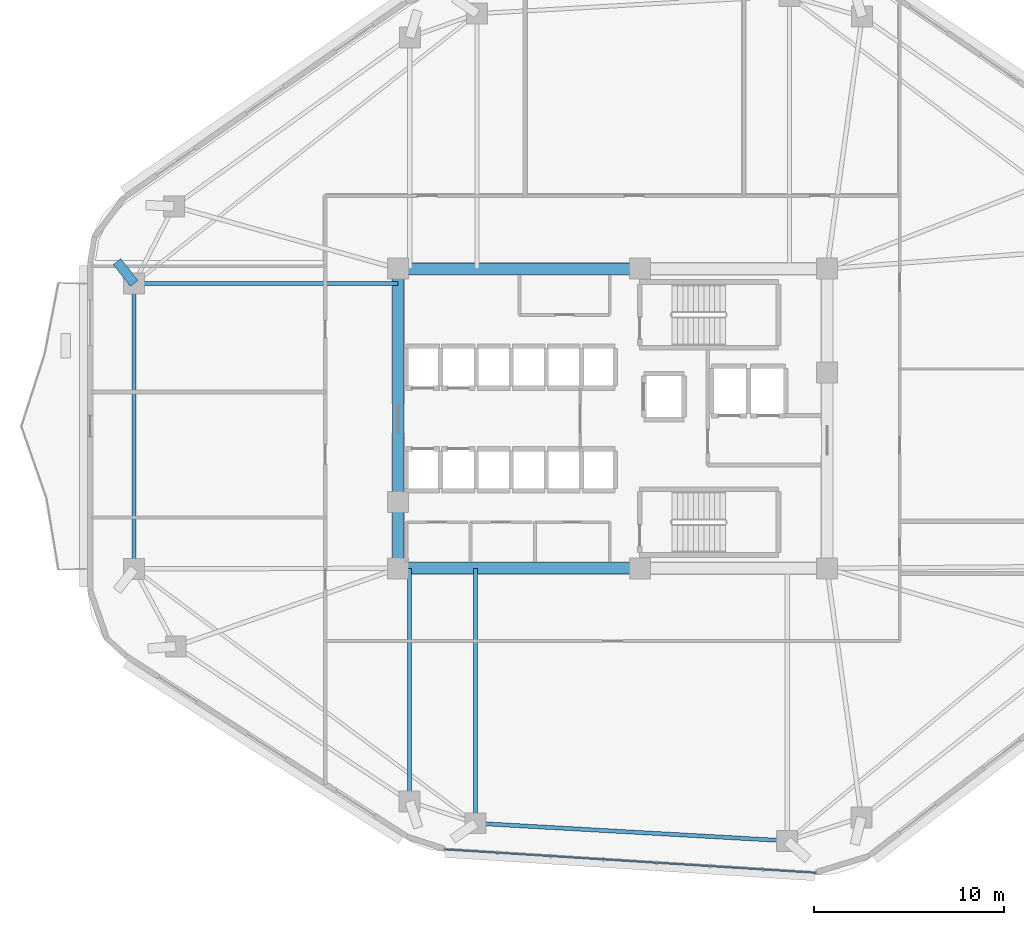
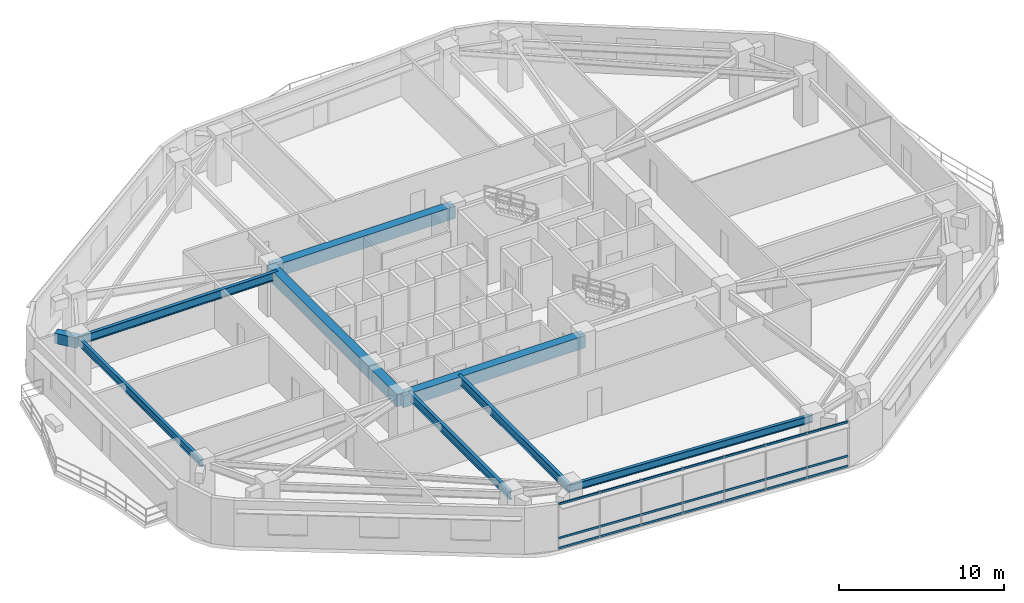
# One storey, part 3 of 12: 10 beams, 3 members, 1 element without a shape of its own.
"""IFC4 building model written with IfcOpenShell, lengths in metres."""

from ifc_helpers import new_model, si_unit, direction, frame, origin, origin_2d, place, context, subcontext, project, spatial, rectangle, hollow_rectangle, i_section, extrude, material, material_profile, profile_set, type_object, element, aggregate, save


model = new_model("IFC4")

# Units and contexts
model_context = context("Model", 3, precision=1e-05, world=origin(), true_north=direction((0.0, 1.0)))
body_context = subcontext(model_context, "Body", "Model", "MODEL_VIEW")
ifc_project = project(units=[si_unit("LENGTHUNIT", "METRE"), si_unit("AREAUNIT", "SQUARE_METRE"), si_unit("VOLUMEUNIT", "CUBIC_METRE"), si_unit("PLANEANGLEUNIT", "RADIAN"), si_unit("MASSUNIT", "GRAM", prefix="KILO")], contexts=[model_context])

# Site, building, storey
site_placement = place(None, origin())
site = spatial("IfcSite", under=ifc_project, at=site_placement, CompositionType="ELEMENT")
building_placement = place(site_placement, origin())
building = spatial("IfcBuilding", under=site, at=building_placement, Name="Zulverin Broadcast Headquarters", CompositionType="ELEMENT")
storey_placement = place(building_placement, frame((0.0, 0.0, 116.199951171875)))
storey = spatial("IfcBuildingStorey", under=building, at=storey_placement, Name="L29", CompositionType="ELEMENT", Elevation=116.199951171875)

# Beams
ifc_material_1 = material(Name="Concrete C60/75", Category="concrete")
ifc_material_profile_1 = material_profile(ifc_material_1, rectangle(XDim=0.60009765625, YDim=0.89990234375, at=origin_2d()), Name="Concrete C60/75", Category="concrete")
ifc_profile_set_1 = profile_set([ifc_material_profile_1], Name="Concrete C60/75")
beam_type_1 = type_object("IfcBeamType", Name="BM-CB-600x900", PredefinedType="LINTEL", material=ifc_profile_set_1)
for number, where, z_axis, x_axis, name in (
    (1, (25.72509765625, 17.324951171875, 2.949951171875), (1.0, 0.0, 0.0), (0.0, 1.0, 0.0), "L29 Core Coupling Girder K01-K02"),
    (2, (38.449951171875, 33.074951171875, 2.949951171875), (-1.0, 0.0, 0.0), (0.0, -1.0, 0.0), "L29 Core Coupling Girder K06-K07"),
):
    element("IfcBeam", number, at=place(storey_placement, frame(where, z_axis=z_axis, x_axis=x_axis)), inside=storey, type_object=beam_type_1, Name=name, PredefinedType="LINTEL", context=body_context, shape_type="SweptSolid", body=[
        extrude(rectangle(XDim=0.60009765625, YDim=0.89990234375, at=origin_2d()), origin(), (0.0, 0.0, 1.0), 12.724853515625),
    ])
beam_1_placement = place(storey_placement, frame((25.72509765625, 33.074951171875, 2.949951171875), z_axis=(0.0, -1.0, 0.0), x_axis=(1.0, 0.0, 0.0)))
element("IfcBeam", 3, at=beam_1_placement, inside=storey, type_object=beam_type_1, Name="L29 Core Coupling Girder K07-K08", PredefinedType="LINTEL", context=body_context, shape_type="SweptSolid", body=[
    extrude(rectangle(XDim=0.60009765625, YDim=0.89990234375, at=origin_2d()), origin(), (0.0, 0.0, 1.0), 12.27490234375),
])
beam_2_placement = place(storey_placement, frame((25.72509765625, 20.800048828125, 2.949951171875), z_axis=(0.0, -1.0, 0.0), x_axis=(1.0, 0.0, 0.0)))
element("IfcBeam", 4, at=beam_2_placement, inside=storey, type_object=beam_type_1, Name="L29 Core Coupling Girder K08-K01", PredefinedType="LINTEL", context=body_context, shape_type="SweptSolid", body=[
    extrude(rectangle(XDim=0.60009765625, YDim=0.89990234375, at=origin_2d()), origin(), (0.0, 0.0, 1.0), 3.47509765625),
])
ifc_material_2 = material(Name="Concrete C40/50", Category="concrete")
ifc_material_profile_2 = material_profile(ifc_material_2, rectangle(XDim=0.5, YDim=0.75, at=origin_2d()), Name="Concrete C40/50", Category="concrete")
ifc_profile_set_2 = profile_set([ifc_material_profile_2], Name="Concrete C40/50")
beam_type_2 = type_object("IfcBeamType", Name="BM-RC-500x750", PredefinedType="BEAM", material=ifc_profile_set_2)
beam_3_placement = place(storey_placement, frame((11.85009765625, 32.298095703125, 3.025146484375), z_axis=(-0.616321783365, 0.787494418615, 0.0), x_axis=(-0.787494418615, -0.616321783365, 0.0)))
element("IfcBeam", 5, at=beam_3_placement, inside=storey, type_object=beam_type_2, Name="L30 Plate Overhang Back-Spanned Beam OVR-13", PredefinedType="BEAM", context=body_context, shape_type="SweptSolid", body=[
    extrude(rectangle(XDim=0.5, YDim=0.75, at=origin_2d()), origin(), (0.0, 0.0, 1.0), 1.46044921875),
])
ifc_material_3 = material(Name="Structural steel S355JR", Category="steel")
ifc_material_profile_3 = material_profile(ifc_material_3, i_section(OverallWidth=0.2119140625, OverallDepth=0.54443359375, WebThickness=0.0126953125, FlangeThickness=0.021240234375, at=origin_2d()), Name="Structural steel S355JR", Category="steel")
ifc_profile_set_3 = profile_set([ifc_material_profile_3], Name="Structural steel S355JR")
beam_type_3 = type_object("IfcBeamType", Name="BM-UB-533", PredefinedType="SPANDREL", material=ifc_profile_set_3)
beam_4_placement = place(storey_placement, frame((29.79638671875, 3.922119140625, 3.127685546875), z_axis=(0.998411385104, -0.056344530297, 0.0), x_axis=(0.056344530297, 0.998411385104, 0.0)))
element("IfcBeam", 6, at=beam_4_placement, inside=storey, type_object=beam_type_3, Name="L29 Perimeter Spandrel Beam SP-01", PredefinedType="SPANDREL", context=body_context, shape_type="SweptSolid", body=[
    extrude(i_section(OverallWidth=0.2119140625, OverallDepth=0.54443359375, WebThickness=0.0126953125, FlangeThickness=0.021240234375, at=origin_2d()), origin(), (0.0, 0.0, 1.0), 16.40478515625),
])
beam_5_placement = place(storey_placement, frame((11.85009765625, 32.298095703125, 3.127685546875), z_axis=(0.0, -1.0, 0.0), x_axis=(1.0, 0.0, 0.0)))
element("IfcBeam", 7, at=beam_5_placement, inside=storey, type_object=beam_type_3, Name="L29 Perimeter Spandrel Beam SP-13", PredefinedType="SPANDREL", context=body_context, shape_type="SweptSolid", body=[
    extrude(i_section(OverallWidth=0.2119140625, OverallDepth=0.54443359375, WebThickness=0.0126953125, FlangeThickness=0.021240234375, at=origin_2d()), origin(), (0.0, 0.0, 1.0), 15.00048828125),
])
ifc_material_profile_4 = material_profile(ifc_material_3, i_section(OverallWidth=0.230224609375, OverallDepth=0.6171875, WebThickness=0.01318359375, FlangeThickness=0.022216796875, at=origin_2d()), Name="Structural steel S355JR", Category="steel")
ifc_profile_set_4 = profile_set([ifc_material_profile_4], Name="Structural steel S355JR")
beam_type_4 = type_object("IfcBeamType", Name="BM-UB-610", PredefinedType="BEAM", material=ifc_profile_set_4)
beam_6_placement = place(storey_placement, frame((29.79638671875, 17.324951171875, 3.091552734375), z_axis=(0.0, -1.0, 0.0), x_axis=(1.0, 0.0, 0.0)))
element("IfcBeam", 8, at=beam_6_placement, inside=storey, type_object=beam_type_4, Name="L29 Radial Primary Floor Beam RB-01", PredefinedType="BEAM", context=body_context, shape_type="SweptSolid", body=[
    extrude(i_section(OverallWidth=0.230224609375, OverallDepth=0.6171875, WebThickness=0.01318359375, FlangeThickness=0.022216796875, at=origin_2d()), origin(), (0.0, 0.0, 1.0), 13.40283203125),
])
beam_7_placement = place(storey_placement, frame((25.72509765625, 32.298095703125, 3.091552734375), z_axis=(-1.0, 0.0, 0.0), x_axis=(0.0, -1.0, 0.0)))
element("IfcBeam", 9, at=beam_7_placement, inside=storey, type_object=beam_type_4, Name="L29 Radial Primary Floor Beam RB-13", PredefinedType="BEAM", context=body_context, shape_type="SweptSolid", body=[
    extrude(i_section(OverallWidth=0.230224609375, OverallDepth=0.6171875, WebThickness=0.01318359375, FlangeThickness=0.022216796875, at=origin_2d()), origin(), (0.0, 0.0, 1.0), 13.875),
])
beam_8_placement = place(storey_placement, frame((26.3251953125, 17.324951171875, 3.091552734375), z_axis=(0.0, -1.0, 0.0), x_axis=(1.0, 0.0, 0.0)))
element("IfcBeam", 10, at=beam_8_placement, inside=storey, type_object=beam_type_4, Name="L29 Radial Primary Floor Beam RB-16", PredefinedType="BEAM", context=body_context, shape_type="SweptSolid", body=[
    extrude(i_section(OverallWidth=0.230224609375, OverallDepth=0.6171875, WebThickness=0.01318359375, FlangeThickness=0.022216796875, at=origin_2d()), origin(), (0.0, 0.0, 1.0), 12.2490234375),
])

# Curtain wall, members
ifc_material_4 = material(Name="Low-zone ribbon unitised curtain wall", Category="aluminium")
curtain_wall_type = type_object("IfcCurtainWallType", Name="CW-TWR-LOW", PredefinedType="USERDEFINED", material=ifc_material_4)
curtain_wall_placement = place(storey_placement, origin())
curtain_wall = element("IfcCurtainWall", 11, at=curtain_wall_placement, inside=storey, type_object=curtain_wall_type, Name="L29 Unitised Curtain Wall CW-L29-E1", ObjectType="UNITISED CURTAIN WALL", PredefinedType="USERDEFINED")
ifc_material_5 = material(Name="Anodized pale-metal aluminium alloy 6063-T6", Category="aluminium")
ifc_material_profile_5 = material_profile(ifc_material_5, hollow_rectangle(XDim=0.074951171875, YDim=0.14990234375, WallThickness=0.0048828125, at=origin_2d()), Name="Anodized pale-metal aluminium alloy 6063-T6", Category="aluminium")
ifc_profile_set_5 = profile_set([ifc_material_profile_5], Name="Anodized pale-metal aluminium alloy 6063-T6")
member_type = type_object("IfcMemberType", Name="CW-TRN-150", PredefinedType="USERDEFINED", material=ifc_profile_set_5)
member_1_placement = place(storey_placement, frame((28.16015625, 2.55126953125, 0.074951171875), z_axis=(0.998017288298, -0.06294038654, 0.0), x_axis=(0.06294038654, 0.998017288298, 0.0)))
member_1 = element("IfcMember", 12, at=member_1_placement, type_object=member_type, Name="CW-L29-E1 Transom 0", ObjectType="TRANSOM", PredefinedType="USERDEFINED", context=body_context, shape_type="SweptSolid", body=[
    extrude(hollow_rectangle(XDim=0.074951171875, YDim=0.14990234375, WallThickness=0.0048828125, at=origin_2d()), origin(), (0.0, 0.0, 1.0), 19.576904296875),
])
member_2_placement = place(storey_placement, frame((28.16015625, 2.55126953125, 0.816162109375), z_axis=(0.998017288298, -0.06294038654, 0.0), x_axis=(0.06294038654, 0.998017288298, 0.0)))
member_2 = element("IfcMember", 13, at=member_2_placement, type_object=member_type, Name="CW-L29-E1 Transom 1", ObjectType="TRANSOM", PredefinedType="USERDEFINED", context=body_context, shape_type="SweptSolid", body=[
    extrude(hollow_rectangle(XDim=0.074951171875, YDim=0.14990234375, WallThickness=0.0048828125, at=origin_2d()), origin(), (0.0, 0.0, 1.0), 19.576904296875),
])
member_3_placement = place(storey_placement, frame((28.16015625, 2.55126953125, 3.324951171875), z_axis=(0.998017288298, -0.06294038654, 0.0), x_axis=(0.06294038654, 0.998017288298, 0.0)))
member_3 = element("IfcMember", 14, at=member_3_placement, type_object=member_type, Name="CW-L29-E1 Transom 2", ObjectType="TRANSOM", PredefinedType="USERDEFINED", context=body_context, shape_type="SweptSolid", body=[
    extrude(hollow_rectangle(XDim=0.074951171875, YDim=0.14990234375, WallThickness=0.0048828125, at=origin_2d()), origin(), (0.0, 0.0, 1.0), 19.576904296875),
])
aggregate(curtain_wall, [member_1, member_2, member_3])

save(model, "model.ifc")
